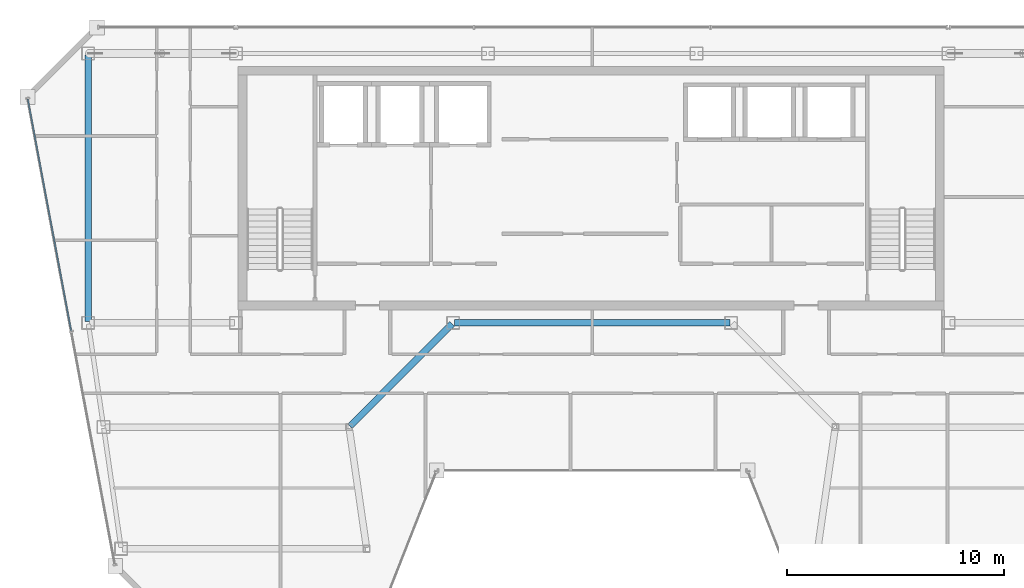
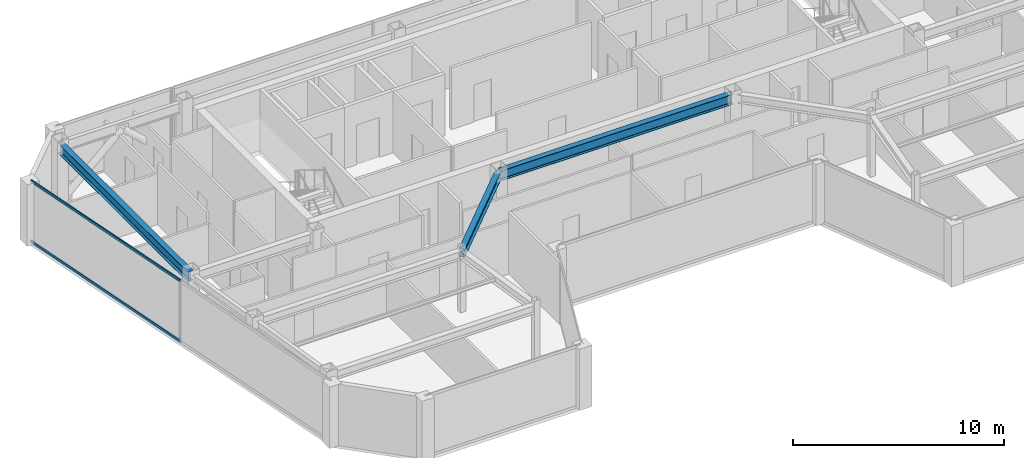
# One storey, part 7 of 23: 3 beams, 2 members, 1 element without a shape of its own.
"""IFC4 building model written with IfcOpenShell, lengths in metres."""

from ifc_helpers import new_model, si_unit, direction, frame, origin, origin_2d, place, context, subcontext, project, spatial, hollow_rectangle, i_section, extrude, material, material_profile, profile_set, type_object, element, aggregate, save


model = new_model("IFC4")

# Units and contexts
model_context = context("Model", 3, precision=1e-05, world=origin(), true_north=direction((0.0, 1.0)))
body_context = subcontext(model_context, "Body", "Model", "MODEL_VIEW")
ifc_project = project(units=[si_unit("LENGTHUNIT", "METRE"), si_unit("AREAUNIT", "SQUARE_METRE"), si_unit("VOLUMEUNIT", "CUBIC_METRE"), si_unit("PLANEANGLEUNIT", "RADIAN"), si_unit("MASSUNIT", "GRAM", prefix="KILO")], contexts=[model_context])

# Site, building, storey
site_placement = place(None, origin())
site = spatial("IfcSite", under=ifc_project, at=site_placement, CompositionType="ELEMENT")
building_placement = place(site_placement, origin())
building = spatial("IfcBuilding", under=site, at=building_placement, Name="Saevonmaru Cultural Tower", CompositionType="ELEMENT")
storey_placement = place(building_placement, frame((0.0, 0.0, 283.800048828125)))
storey = spatial("IfcBuildingStorey", under=building, at=storey_placement, Name="L67", CompositionType="ELEMENT", Elevation=283.800048828125)

# Beams
ifc_material_1 = material(Name="Steel SM355", Category="steel")
ifc_material_profile_1 = material_profile(ifc_material_1, i_section(OverallWidth=0.300048828125, OverallDepth=0.488037109375, WebThickness=0.010986328125, FlangeThickness=0.01806640625, FilletRadius=0.02197265625, at=origin_2d()), Name="H-488x300x11x18")
ifc_profile_set_1 = profile_set([ifc_material_profile_1], Name="Steel SM355")
beam_type_1 = type_object("IfcBeamType", Name="BM-G-H488", PredefinedType="BEAM", material=ifc_profile_set_1)
beam_1_placement = place(storey_placement, frame((18.850341796875, 37.642578125, 3.305908203125), z_axis=(0.706538566564, 0.707674539572, 0.0), x_axis=(-0.707674539572, 0.706538566564, 0.0)))
element("IfcBeam", 1, at=beam_1_placement, inside=storey, type_object=beam_type_1, Name="L67 West Atrium Girder 2", PredefinedType="BEAM", context=body_context, shape_type="SweptSolid", body=[
    extrude(i_section(OverallWidth=0.300048828125, OverallDepth=0.488037109375, WebThickness=0.010986328125, FlangeThickness=0.01806640625, FilletRadius=0.02197265625, at=origin_2d()), origin(), (0.0, 0.0, 1.0), 6.662353515625),
])
ifc_material_profile_2 = material_profile(ifc_material_1, i_section(OverallWidth=0.300048828125, OverallDepth=0.587890625, WebThickness=0.011962890625, FlangeThickness=0.02001953125, FilletRadius=0.02392578125, at=origin_2d()), Name="H-588x300x12x20")
ifc_profile_set_2 = profile_set([ifc_material_profile_2], Name="Steel SM355")
beam_type_2 = type_object("IfcBeamType", Name="BM-G-H588", PredefinedType="BEAM", material=ifc_profile_set_2)
beam_2_placement = place(storey_placement, frame((23.659912109375, 42.39990234375, 3.255859375), z_axis=(1.0, 0.0, 0.0), x_axis=(0.0, 1.0, 0.0)))
element("IfcBeam", 2, at=beam_2_placement, inside=storey, type_object=beam_type_2, Name="L67 Core South Girder 3", PredefinedType="BEAM", context=body_context, shape_type="SweptSolid", body=[
    extrude(i_section(OverallWidth=0.300048828125, OverallDepth=0.587890625, WebThickness=0.011962890625, FlangeThickness=0.02001953125, FilletRadius=0.02392578125, at=origin_2d()), origin(), (0.0, 0.0, 1.0), 12.68017578125),
])
beam_3_placement = place(storey_placement, frame((6.800048828125, 54.739990234375, 3.255859375), z_axis=(0.0, -1.0, 0.0), x_axis=(1.0, 0.0, 0.0)))
element("IfcBeam", 3, at=beam_3_placement, inside=storey, type_object=beam_type_2, Name="L67 Spine Transverse Girder W", PredefinedType="BEAM", context=body_context, shape_type="SweptSolid", body=[
    extrude(i_section(OverallWidth=0.300048828125, OverallDepth=0.587890625, WebThickness=0.011962890625, FlangeThickness=0.02001953125, FilletRadius=0.02392578125, at=origin_2d()), origin(), (0.0, 0.0, 1.0), 12.280029296875),
])

# Curtain wall, members
ifc_material_2 = material(Name="Satin Bronze Anodised Aluminium", Category="aluminium")
curtain_wall_type = type_object("IfcCurtainWallType", Name="CW-TYP-B", PredefinedType="NOTDEFINED", material=ifc_material_2)
curtain_wall_placement = place(storey_placement, origin())
curtain_wall = element("IfcCurtainWall", 4, at=curtain_wall_placement, inside=storey, type_object=curtain_wall_type, Name="L67 Unitised Curtain Wall E12", PredefinedType="NOTDEFINED")
ifc_material_profile_3 = material_profile(ifc_material_2, hollow_rectangle(XDim=0.06494140625, YDim=0.14990234375, WallThickness=0.00390625, at=origin_2d()), Name="ALU-TRAN-150x65x4")
ifc_profile_set_3 = profile_set([ifc_material_profile_3], Name="Satin Bronze Anodised Aluminium")
member_type = type_object("IfcMemberType", Name="TR-CW-150x65", PredefinedType="USERDEFINED", material=ifc_profile_set_3)
member_1_placement = place(storey_placement, frame((4.01708984375, 52.708984375, 0.032470703125), z_axis=(0.184029339557, -0.982920750713, 0.0), x_axis=(0.982920750713, 0.184029339557, 0.0)))
member_1 = element("IfcMember", 5, at=member_1_placement, type_object=member_type, Name="CW-TW-L67-E12 transom 1.1", ObjectType="TRANSOM", PredefinedType="USERDEFINED", context=body_context, shape_type="SweptSolid", body=[
    extrude(hollow_rectangle(XDim=0.06494140625, YDim=0.14990234375, WallThickness=0.00390625, at=origin_2d()), origin(), (0.0, 0.0, 1.0), 10.862548828125),
])
member_2_placement = place(storey_placement, frame((4.01708984375, 52.708984375, 3.517333984375), z_axis=(0.184029339557, -0.982920750713, 0.0), x_axis=(0.982920750713, 0.184029339557, 0.0)))
member_2 = element("IfcMember", 6, at=member_2_placement, type_object=member_type, Name="CW-TW-L67-E12 transom 1.2", ObjectType="TRANSOM", PredefinedType="USERDEFINED", context=body_context, shape_type="SweptSolid", body=[
    extrude(hollow_rectangle(XDim=0.06494140625, YDim=0.14990234375, WallThickness=0.00390625, at=origin_2d()), origin(), (0.0, 0.0, 1.0), 10.862548828125),
])
aggregate(curtain_wall, [member_1, member_2])

save(model, "model.ifc")
